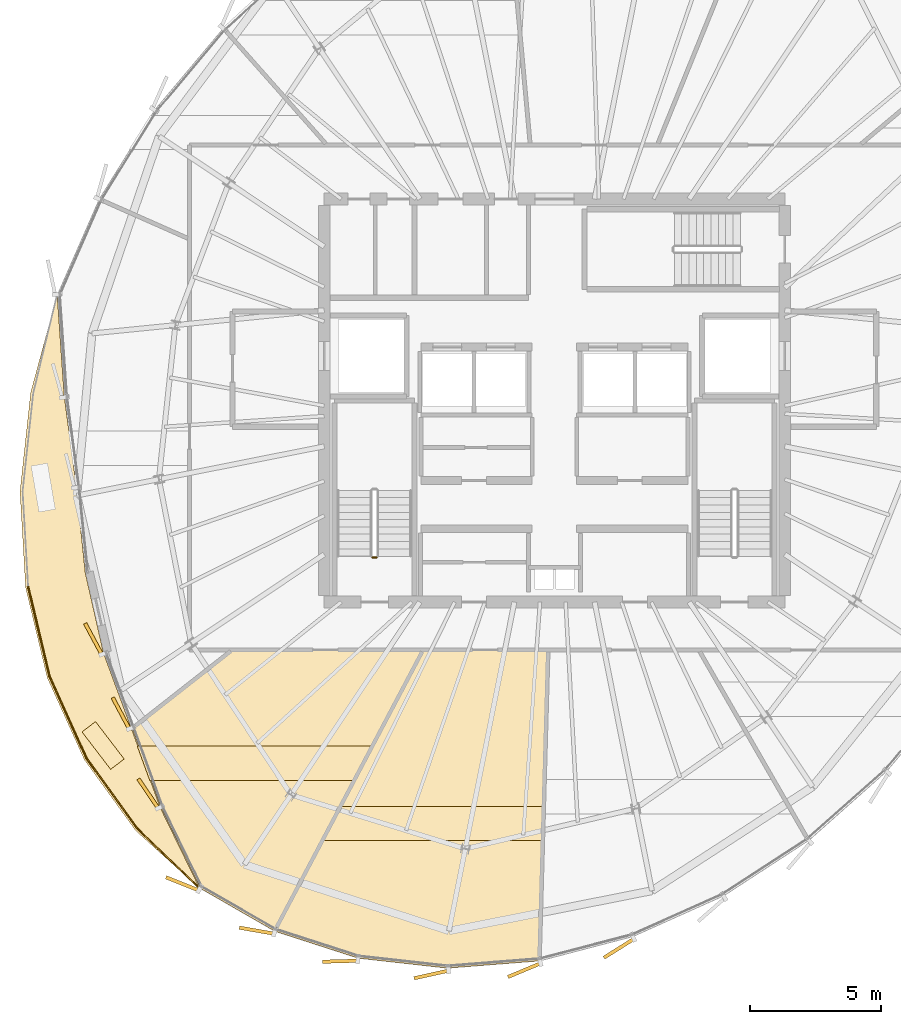
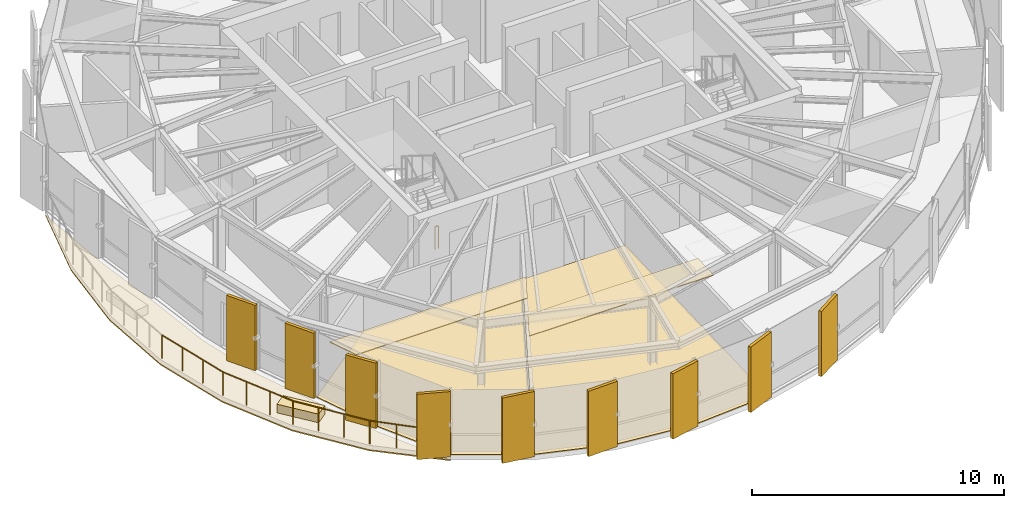
# One storey, part 29 of 32: 15 coverings, 5 railings.
"""IFC4 building model written with IfcOpenShell, lengths in metres."""

import ifcopenshell
import ifcopenshell.guid

model = None  # the IFC model being written
_history = None  # IfcOwnerHistory: only IFC2X3 demands one
_inside = {}  # id of a spatial element -> (the spatial element, [elements in it])
_under = {}  # id of a project, library or spatial element -> (it, [spatial elements below it])
_declared = {}  # id of a project -> (the project, [libraries it declares])
_typed = {}  # id of a type object -> (the type object, [elements of that type])
_made_of = {}  # id of a material, layer set ... -> (it, [elements and type objects made of it])


def new_model(schema):
    """Start an empty IFC model of exactly this schema.

    Asked for "IFC4X3", IfcOpenShell would pick the latest addendum, in which some entities
    have other attributes; the version numbers below select the first issue.
    IFC2X3 requires an IfcOwnerHistory on every rooted entity: one is made here for all.
    """
    global model, _history
    if schema == "IFC4X3":
        model = ifcopenshell.file(schema_version=(4, 3, 0, 0))
    else:
        model = ifcopenshell.file(schema=schema)
    _inside.clear()
    _under.clear()
    _declared.clear()
    _typed.clear()
    _made_of.clear()
    _history = None
    if model.schema == "IFC2X3":
        org = make("IfcOrganization", Name="unknown")
        user = make(
            "IfcPersonAndOrganization",
            ThePerson=make("IfcPerson", FamilyName="unknown"),
            TheOrganization=org,
        )
        app = make(
            "IfcApplication",
            ApplicationDeveloper=org,
            Version="unknown",
            ApplicationFullName="unknown",
            ApplicationIdentifier="unknown",
        )
        _history = make(
            "IfcOwnerHistory",
            OwningUser=user,
            OwningApplication=app,
            ChangeAction="ADDED",
            CreationDate=0,
        )
    return model


def make(cls, **values):
    """One entity of the class cls with the attributes given. An attribute that is None is left unset."""
    return model.create_entity(
        cls, **{name: value for name, value in values.items() if value is not None}
    )


def rooted(cls, **values):
    """An entity with a GlobalId (a new one), such as an element, a storey or a relation."""
    return make(cls, GlobalId=ifcopenshell.guid.new(), OwnerHistory=_history, **values)


def si_unit(unit_type, name, prefix=None):
    """IfcSIUnit, for example si_unit("LENGTHUNIT", "METRE", prefix="MILLI")."""
    return make("IfcSIUnit", UnitType=unit_type, Prefix=prefix, Name=name)


def assignment(units):
    """IfcUnitAssignment: the units of a project."""
    return None if units is None else make("IfcUnitAssignment", Units=units)


def point(xyz):
    """IfcCartesianPoint."""
    return None if xyz is None else make("IfcCartesianPoint", Coordinates=xyz)


def direction(xyz):
    """IfcDirection."""
    return None if xyz is None else make("IfcDirection", DirectionRatios=xyz)


def frame(location, z_axis=None, x_axis=None):
    """IfcAxis2Placement3D, a coordinate frame: its origin and axes. An axis left out is left unset."""
    return make(
        "IfcAxis2Placement3D",
        Location=point(location),
        Axis=direction(z_axis),
        RefDirection=direction(x_axis),
    )


def frame_2d(location, x_axis=None):
    """IfcAxis2Placement2D, a coordinate frame in the plane: its origin and x axis."""
    return make(
        "IfcAxis2Placement2D", Location=point(location), RefDirection=direction(x_axis)
    )


def origin():
    """The frame at (0, 0, 0) with its axes left unset."""
    return frame((0.0, 0.0, 0.0))


def origin_2d():
    """The frame at (0, 0) in the plane with its x axis left unset."""
    return frame_2d((0.0, 0.0))


def place(relative_to, where):
    """IfcLocalPlacement: puts the frame where relative to a parent placement (None: the world)."""
    return make(
        "IfcLocalPlacement", PlacementRelTo=relative_to, RelativePlacement=where
    )


def context(
    kind, dimensions, precision=None, world=None, true_north=None, identifier=None
):
    """IfcGeometricRepresentationContext, for example the 3D "Model" context."""
    return make(
        "IfcGeometricRepresentationContext",
        ContextIdentifier=identifier,
        ContextType=kind,
        CoordinateSpaceDimension=dimensions,
        Precision=precision,
        WorldCoordinateSystem=world,
        TrueNorth=true_north,
    )


def subcontext(parent, identifier, kind, view, scale=None):
    """IfcGeometricRepresentationSubContext, for example "Body" below "Model"."""
    return make(
        "IfcGeometricRepresentationSubContext",
        ContextIdentifier=identifier,
        ContextType=kind,
        ParentContext=parent,
        TargetScale=scale,
        TargetView=view,
    )


def project(units=None, contexts=None):
    """IfcProject with its units and contexts."""
    return rooted(
        "IfcProject",
        Name="project",
        RepresentationContexts=contexts,
        UnitsInContext=assignment(units),
    )


def spatial(cls, under=None, at=None, **own):
    """A site, building, storey or space (cls), placed at a placement, below another one or the project."""
    s = rooted(cls, ObjectPlacement=at, **own)
    if under is not None:
        _under.setdefault(under.id(), (under, []))[1].append(s)
    return s


def polyline(points):
    """IfcPolyline through the points."""
    return make("IfcPolyline", Points=[point(p) for p in points])


def profile(cls, at=None, kind="AREA", **sizes):
    """A parametric profile (cls). Its sizes go by their IFC names, for example OverallWidth=200.0."""
    return make(cls, ProfileType=kind, Position=at, **sizes)


def rectangle(**sizes):
    """IfcRectangleProfileDef."""
    return profile("IfcRectangleProfileDef", **sizes)


def circle(**sizes):
    """IfcCircleProfileDef."""
    return profile("IfcCircleProfileDef", **sizes)


def outline(outer, holes=None, kind="AREA"):
    """IfcArbitraryClosedProfileDef: a profile drawn as a closed curve; with holes, ...WithVoids."""
    if holes is None:
        return make("IfcArbitraryClosedProfileDef", ProfileType=kind, OuterCurve=outer)
    return make(
        "IfcArbitraryProfileDefWithVoids",
        ProfileType=kind,
        OuterCurve=outer,
        InnerCurves=holes,
    )


def extrude(swept, where, along, depth):
    """IfcExtrudedAreaSolid: the profile swept, set in the frame where, extruded along a direction by depth."""
    return make(
        "IfcExtrudedAreaSolid",
        SweptArea=swept,
        Position=where,
        ExtrudedDirection=direction(along),
        Depth=depth,
    )


def shape(context_of_items, identifier, shape_type, items):
    """IfcShapeRepresentation: the items that make up one representation, for example the "Body"."""
    return make(
        "IfcShapeRepresentation",
        ContextOfItems=context_of_items,
        RepresentationIdentifier=identifier,
        RepresentationType=shape_type,
        Items=items,
    )


def source(mapping_origin, context_of_items, identifier, shape_type, items):
    """IfcRepresentationMap: a shape defined once, which mapped items show again and again."""
    return make(
        "IfcRepresentationMap",
        MappingOrigin=mapping_origin,
        MappedRepresentation=shape(context_of_items, identifier, shape_type, items),
    )


def transform(
    local_origin,
    x_axis=None,
    y_axis=None,
    z_axis=None,
    scale=None,
    scale2=None,
    scale3=None,
    uniform=True,
):
    """IfcCartesianTransformationOperator3D, or its non-uniform kind. x_axis, y_axis, z_axis: its Axis1, 2, 3."""
    if uniform:
        return make(
            "IfcCartesianTransformationOperator3D",
            Axis1=direction(x_axis),
            Axis2=direction(y_axis),
            LocalOrigin=point(local_origin),
            Scale=scale,
            Axis3=direction(z_axis),
        )
    return make(
        "IfcCartesianTransformationOperator3DnonUniform",
        Axis1=direction(x_axis),
        Axis2=direction(y_axis),
        LocalOrigin=point(local_origin),
        Scale=scale,
        Axis3=direction(z_axis),
        Scale2=scale2,
        Scale3=scale3,
    )


def mapped(mapping_source, mapping_target):
    """IfcMappedItem: shows the shape of a source again, moved by a transform."""
    return make(
        "IfcMappedItem", MappingSource=mapping_source, MappingTarget=mapping_target
    )


def material(Name=None, Category=None):
    """IfcMaterial."""
    return make("IfcMaterial", Name=Name, Category=Category)


def layer(
    of_material, thickness, ventilated=None, Name=None, Category=None, Priority=None
):
    """IfcMaterialLayer: one layer of a wall or slab, of a material (None: an air gap)."""
    return make(
        "IfcMaterialLayer",
        Material=of_material,
        LayerThickness=thickness,
        IsVentilated=ventilated,
        Name=Name,
        Category=Category,
        Priority=Priority,
    )


def layer_set(layers, Name=None):
    """IfcMaterialLayerSet."""
    return make("IfcMaterialLayerSet", MaterialLayers=layers, LayerSetName=Name)


def made_of(thing, what):
    """Note that an element or type object is made of a material, layer set ...; save() writes the relation."""
    if what is not None:
        _made_of.setdefault(what.id(), (what, []))[1].append(thing)
    return thing


def type_object(cls, material=None, **own):
    """A type object (cls), such as IfcWallType, which elements share."""
    return made_of(rooted(cls, **own), material)


def element(
    cls,
    number,
    at=None,
    inside=None,
    cuts=None,
    type_object=None,
    material=None,
    context=None,
    identifier="Body",
    shape_type=None,
    held_by="IfcProductDefinitionShape",
    body=None,
    shapes=None,
    **own,
):
    """One element of the class cls, such as IfcWall. Its Tag is "e" and its number.

    at: its placement. inside: the storey or other place that contains it. cuts: it is an
    opening in that element (IfcRelVoidsElement). A single representation is given by context,
    identifier, shape_type and body (its items); several are given by shapes. held_by: the class
    of the entity that holds the representations. save() writes the other relations.
    """
    e = rooted(cls, Tag="e%d" % number, ObjectPlacement=at, **own)
    if body is not None:
        shapes = [shape(context, identifier, shape_type, body)]
    if shapes is not None:
        e.Representation = make(held_by, Representations=shapes)
    if inside is not None:
        _inside.setdefault(inside.id(), (inside, []))[1].append(e)
    if cuts is not None:
        rooted(
            "IfcRelVoidsElement", RelatingBuildingElement=cuts, RelatedOpeningElement=e
        )
    if type_object is not None:
        _typed.setdefault(type_object.id(), (type_object, []))[1].append(e)
    return made_of(e, material)


def aggregate(whole, parts):
    """IfcRelAggregates: a whole, such as a stair, and the parts it consists of."""
    return rooted("IfcRelAggregates", RelatingObject=whole, RelatedObjects=parts)


def save(model, path):
    """Write the relations noted so far, then the file.

    IfcRelAggregates (storeys below a building ...), IfcRelContainedInSpatialStructure (elements
    in a storey), IfcRelDefinesByType, IfcRelAssociatesMaterial and IfcRelDeclares: one each for
    every whole, place, type object, material and project.
    """
    for whole, parts in _under.values():
        aggregate(whole, parts)
    for where, things in _inside.values():
        rooted(
            "IfcRelContainedInSpatialStructure",
            RelatedElements=things,
            RelatingStructure=where,
        )
    for kind, things in _typed.values():
        rooted("IfcRelDefinesByType", RelatedObjects=things, RelatingType=kind)
    for what, things in _made_of.values():
        rooted("IfcRelAssociatesMaterial", RelatedObjects=things, RelatingMaterial=what)
    for by, libraries in _declared.values():
        rooted("IfcRelDeclares", RelatingContext=by, RelatedDefinitions=libraries)
    model.write(path)


model = new_model("IFC4")

# Units and contexts
model_context = context("Model", 3, precision=1e-05, world=origin(), true_north=direction((0.0, 1.0)))
body_context = subcontext(model_context, "Body", "Model", "MODEL_VIEW")
ifc_project = project(units=[si_unit("LENGTHUNIT", "METRE"), si_unit("AREAUNIT", "SQUARE_METRE"), si_unit("VOLUMEUNIT", "CUBIC_METRE"), si_unit("PLANEANGLEUNIT", "RADIAN"), si_unit("MASSUNIT", "GRAM", prefix="KILO"), si_unit("THERMODYNAMICTEMPERATUREUNIT", "KELVIN")], contexts=[model_context])

# Site, building, storey
site_placement = place(None, origin())
site = spatial("IfcSite", under=ifc_project, at=site_placement, CompositionType="ELEMENT")
building_placement = place(site_placement, origin())
building = spatial("IfcBuilding", under=site, at=building_placement, Name="Kethvar Cultural Tower", CompositionType="ELEMENT")
storey_placement = place(building_placement, frame((0.0, 0.0, 252.550048828125)))
storey = spatial("IfcBuildingStorey", under=building, at=storey_placement, Name="L66", CompositionType="ELEMENT", Elevation=252.550048828125)

# Coverings
ifc_material_1 = material(Name="Acoustic Mineral Fibre Ceiling")
ifc_layer_1 = layer(ifc_material_1, 0.0400390625, Name="Acoustic Mineral Fibre Ceiling")
ifc_layer_set_1 = layer_set([ifc_layer_1], Name="Acoustic Mineral Fibre Ceiling (40 mm)")
covering_type_1 = type_object("IfcCoveringType", Name="CV-ACOUSTIC-CEIL", PredefinedType="CEILING", material=ifc_layer_set_1)
covering_1_placement = place(storey_placement, frame((0.0, 0.0, 3.0)))
element("IfcCovering", 1, at=covering_1_placement, inside=storey, type_object=covering_type_1, Name="L66 Room 01 Acoustic Ceiling Panel", PredefinedType="CEILING", context=body_context, shape_type="SweptSolid", body=[
    extrude(outline(polyline([(30.8544921875, 14.599609375), (39.8701171875, 14.599609375), (39.18017578125, 13.28955078125), (31.331298828125, 13.28955078125), (30.8544921875, 14.599609375)])), origin(), (0.0, 0.0, 1.0), 0.0400390625),
])
covering_2_placement = place(storey_placement, frame((0.0, 0.0, 3.0)))
element("IfcCovering", 2, at=covering_2_placement, inside=storey, type_object=covering_type_1, Name="L66 Room 02 Acoustic Ceiling Panel", PredefinedType="CEILING", context=body_context, shape_type="SweptSolid", body=[
    extrude(outline(polyline([(38.60791015625, 12.28857421875), (46.420166015625, 12.28857421875), (46.38623046875, 10.978515625), (37.917724609375, 10.978515625), (38.60791015625, 12.28857421875)])), origin(), (0.0, 0.0, 1.0), 0.0400390625),
])
ifc_material_2 = material(Name="Architectural Oak Timber", Category="wood")
ifc_layer_2 = layer(ifc_material_2, 0.02490234375, Name="Architectural Oak Timber", Category="wood")
ifc_layer_set_2 = layer_set([ifc_layer_2], Name="Architectural Oak Timber (25 mm)")
covering_type_2 = type_object("IfcCoveringType", Name="CV-OAK-FLOOR", PredefinedType="FLOORING", material=ifc_layer_set_2)
covering_3_placement = place(storey_placement, origin())
element("IfcCovering", 3, at=covering_3_placement, inside=storey, type_object=covering_type_2, Name="L66 Room 01 Floor Finish", PredefinedType="FLOORING", context=body_context, shape_type="SweptSolid", body=[
    extrude(outline(polyline([(33.26318359375, 9.16162109375), (31.74658203125, 12.265380859375), (30.651611328125, 15.27392578125), (34.49462890625, 18.2490234375), (41.7470703125, 18.2490234375), (36.10107421875, 7.529052734375), (33.26318359375, 9.16162109375)])), origin(), (0.0, 0.0, 1.0), 0.02490234375),
])
covering_4_placement = place(storey_placement, origin())
element("IfcCovering", 4, at=covering_4_placement, inside=storey, type_object=covering_type_2, Name="L66 Room 02 Floor Finish", PredefinedType="FLOORING", context=body_context, shape_type="SweptSolid", body=[
    extrude(outline(polyline([(42.70947265625, 6.111572265625), (39.29931640625, 6.4921875), (36.137939453125, 7.51318359375), (41.792236328125, 18.2490234375), (46.53369140625, 18.2490234375), (46.22802734375, 6.388427734375), (42.70947265625, 6.111572265625)])), origin(), (0.0, 0.0, 1.0), 0.02490234375),
])
ifc_material_3 = material(Name="Insulated Waterproofing Membrane")
ifc_layer_3 = layer(ifc_material_3, 0.06005859375, Name="Insulated Waterproofing Membrane")
ifc_layer_set_3 = layer_set([ifc_layer_3], Name="Insulated Waterproofing Membrane (60 mm)")
covering_type_3 = type_object("IfcCoveringType", Name="CV-ROOF-MEMB", PredefinedType="ROOFING", material=ifc_layer_set_3)
covering_5_placement = place(storey_placement, frame((0.0, 0.0, -0.275146484375)))
element("IfcCovering", 5, at=covering_5_placement, inside=storey, type_object=covering_type_3, Name="L66 Terrace Waterproofing", PredefinedType="ROOFING", context=body_context, shape_type="SweptSolid", body=[
    extrude(outline(polyline([(27.7958984375, 31.860107421875), (26.781494140625, 28.0947265625), (26.375244140625, 24.32080078125), (26.589599609375, 20.65234375), (27.418212890625, 17.200927734375), (28.83544921875, 14.07177734375), (30.798583984375, 11.35986328125), (33.248046875, 9.147216796875), (31.728271484375, 12.257568359375), (30.627685546875, 15.28076171875), (29.56494140625, 18.156982421875), (28.869873046875, 21.220703125), (28.531982421875, 24.471435546875), (28.06689453125, 27.959716796875), (27.7958984375, 31.860107421875)])), origin(), (0.0, 0.0, 1.0), 0.06005859375),
])

# Railings
ifc_material_4 = material(Name="Steel S355J2", Category="steel")
railing_type_1 = type_object("IfcRailingType", Name="RL-EXT-GUARD-1150", PredefinedType="BALUSTRADE", material=ifc_material_4)
railing_1_placement = place(storey_placement, frame((26.683837890625, 20.685546875, 0.0)))
element("IfcRailing", 6, at=railing_1_placement, inside=storey, type_object=railing_type_1, Name="L66 Spiralling Terrace Balustrade 04", PredefinedType="BALUSTRADE", context=body_context, shape_type="SweptSolid", body=[
    extrude(circle(Radius=0.02392578125, at=origin_2d()), frame((0.0, 0.0, 1.1259765625), z_axis=(0.23263856912, -0.972563260748, 0.0), x_axis=(0.972563260748, 0.23263856912, 0.0)), (0.0, 0.0, 1.0), 3.533447265625),
    extrude(circle(Radius=0.02099609375, at=origin_2d()), origin(), (0.0, 0.0, 1.0), 1.101806640625),
    extrude(circle(Radius=0.02099609375, at=origin_2d()), frame((0.27392578125, -1.1455078125, 0.0)), (0.0, 0.0, 1.0), 1.101806640625),
    extrude(circle(Radius=0.02099609375, at=origin_2d()), frame((0.548095703125, -2.291015625, 0.0)), (0.0, 0.0, 1.0), 1.101806640625),
    extrude(circle(Radius=0.02099609375, at=origin_2d()), frame((0.822021484375, -3.4365234375, 0.0)), (0.0, 0.0, 1.0), 1.101806640625),
])
railing_2_placement = place(storey_placement, frame((27.505859375, 17.2490234375, 0.0)))
element("IfcRailing", 7, at=railing_2_placement, inside=storey, type_object=railing_type_1, Name="L66 Spiralling Terrace Balustrade 05", PredefinedType="BALUSTRADE", context=body_context, shape_type="SweptSolid", body=[
    extrude(circle(Radius=0.02392578125, at=origin_2d()), frame((0.0, 0.0, 1.1259765625), z_axis=(0.411951995727, -0.911205549378, 0.0), x_axis=(0.911205549378, 0.411951995727, 0.0)), (0.0, 0.0, 1.0), 3.420166015625),
    extrude(circle(Radius=0.02099609375, at=origin_2d()), origin(), (0.0, 0.0, 1.0), 1.101806640625),
    extrude(circle(Radius=0.02099609375, at=origin_2d()), frame((0.4697265625, -1.038818359375, 0.0)), (0.0, 0.0, 1.0), 1.101806640625),
    extrude(circle(Radius=0.02099609375, at=origin_2d()), frame((0.939208984375, -2.07763671875, 0.0)), (0.0, 0.0, 1.0), 1.101806640625),
    extrude(circle(Radius=0.02099609375, at=origin_2d()), frame((1.408935546875, -3.116455078125, 0.0)), (0.0, 0.0, 1.0), 1.101806640625),
])
railing_3_placement = place(storey_placement, frame((28.914794921875, 14.132568359375, 0.0)))
element("IfcRailing", 8, at=railing_3_placement, inside=storey, type_object=railing_type_1, Name="L66 Spiralling Terrace Balustrade 06", PredefinedType="BALUSTRADE", context=body_context, shape_type="SweptSolid", body=[
    extrude(circle(Radius=0.02392578125, at=origin_2d()), frame((0.0, 0.0, 1.1259765625), z_axis=(0.586035904566, -0.810285084744, 0.0), x_axis=(0.810285084744, 0.586035904566, 0.0)), (0.0, 0.0, 1.0), 3.33349609375),
    extrude(circle(Radius=0.02099609375, at=origin_2d()), origin(), (0.0, 0.0, 1.0), 1.101806640625),
    extrude(circle(Radius=0.02099609375, at=origin_2d()), frame((0.651123046875, -0.900390625, 0.0)), (0.0, 0.0, 1.0), 1.101806640625),
    extrude(circle(Radius=0.02099609375, at=origin_2d()), frame((1.302490234375, -1.80078125, 0.0)), (0.0, 0.0, 1.0), 1.101806640625),
    extrude(circle(Radius=0.02099609375, at=origin_2d()), frame((1.95361328125, -2.701171875, 0.0)), (0.0, 0.0, 1.0), 1.101806640625),
])
railing_4_placement = place(storey_placement, frame((30.868408203125, 11.431396484375, 0.0)))
element("IfcRailing", 9, at=railing_4_placement, inside=storey, type_object=railing_type_1, Name="L66 Spiralling Terrace Balustrade 07", PredefinedType="BALUSTRADE", context=body_context, shape_type="SweptSolid", body=[
    extrude(circle(Radius=0.02392578125, at=origin_2d()), frame((0.0, 0.0, 1.1259765625), z_axis=(0.721428733889, -0.692488687213, 0.0), x_axis=(0.692488687213, 0.721428733889, 0.0)), (0.0, 0.0, 1.0), 3.298583984375),
    extrude(circle(Radius=0.02099609375, at=origin_2d()), origin(), (0.0, 0.0, 1.0), 1.101806640625),
    extrude(circle(Radius=0.02099609375, at=origin_2d()), frame((0.793212890625, -0.761474609375, 0.0)), (0.0, 0.0, 1.0), 1.101806640625),
    extrude(circle(Radius=0.02099609375, at=origin_2d()), frame((1.58642578125, -1.522705078125, 0.0)), (0.0, 0.0, 1.0), 1.101806640625),
    extrude(circle(Radius=0.02099609375, at=origin_2d()), frame((2.379638671875, -2.2841796875, 0.0)), (0.0, 0.0, 1.0), 1.101806640625),
])
railing_type_2 = type_object("IfcRailingType", Name="RL-STAIR-GUARD", PredefinedType="BALUSTRADE", material=ifc_material_4)
railing_5_placement = place(storey_placement, frame((40.0, 21.800048828125, 0.0)))
element("IfcRailing", 10, at=railing_5_placement, inside=storey, type_object=railing_type_2, Name="L66 ST-01 stair guard 4", PredefinedType="BALUSTRADE", context=body_context, shape_type="SweptSolid", body=[
    extrude(circle(Radius=0.02392578125, at=origin_2d()), frame((0.0, 0.0, 1.09619140625), z_axis=(-1.0, 0.0, 0.0), x_axis=(0.0, -1.0, 0.0)), (0.0, 0.0, 1.0), 0.159912109375),
    extrude(circle(Radius=0.02099609375, at=origin_2d()), origin(), (0.0, 0.0, 1.0), 1.072021484375),
    extrude(circle(Radius=0.02099609375, at=origin_2d()), frame((-0.159912109375, 0.0, 0.0)), (0.0, 0.0, 1.0), 1.072021484375),
])

# Coverings
ifc_material_5 = material(Name="Extruded Architectural Terracotta", Category="masonry")
ifc_layer_4 = layer(ifc_material_5, 0.419921875, Name="Extruded Architectural Terracotta", Category="masonry")
ifc_layer_set_4 = layer_set([ifc_layer_4], Name="Extruded Architectural Terracotta (420 mm)")
covering_type_4 = type_object("IfcCoveringType", Name="Terracotta Terrace Planter PLANTER-01", PredefinedType="USERDEFINED", material=ifc_layer_set_4)
shared_shape_1 = source(origin(), body_context, "Body", "SweptSolid", [
    extrude(rectangle(XDim=1.800048828125, YDim=0.64990234375, at=origin_2d()), origin(), (0.0, 0.0, 1.0), 0.419921875),
])
covering_6_placement = place(storey_placement, frame((29.550537109375, 14.618408203125, 0.0), z_axis=(0.0, 0.0, 1.0), x_axis=(0.607237178966, -0.794520615517, 0.0)))
element("IfcCovering", 11, at=covering_6_placement, inside=storey, type_object=covering_type_4, Name="L66 Sky Terrace Planter Box B", ObjectType="PLANTER", PredefinedType="USERDEFINED", context=body_context, shape_type="MappedRepresentation", body=[
    mapped(shared_shape_1, transform((0.0, 0.0, 0.0), scale=1.0)),
])
ifc_layer_5 = layer(ifc_material_5, 0.135009765625, Name="Extruded Architectural Terracotta", Category="masonry")
ifc_layer_set_5 = layer_set([ifc_layer_5], Name="Extruded Architectural Terracotta (135 mm)")
covering_type_5 = type_object("IfcCoveringType", Name="Terracotta Facade Fin FIN-03", PredefinedType="CLADDING", material=ifc_layer_set_5)
shared_shape_2 = source(origin(), body_context, "Body", "SweptSolid", [
    extrude(rectangle(XDim=1.35009765625, YDim=0.135009765625, at=origin_2d()), origin(), (0.0, 0.0, 1.0), 3.169921875),
])
for number, where, z_axis, x_axis, name in (
    (12, (29.1826171875, 18.68994140625, 0.02001953125), (0.0, 0.0, 1.0), (-0.473780835594, 0.880642787868, 0.0), "L66 Vertical Terracotta Fin 4.1"),
    (13, (30.23583984375, 15.849365234375, 0.02001953125), (0.0, 0.0, 1.0), (-0.469471562786, 0.882947592859, 0.0), "L66 Vertical Terracotta Fin 4.2"),
    (14, (31.278564453125, 12.78173828125, 0.02001953125), (0.0, 0.0, 1.0), (-0.559771544562, 0.828646980263, 0.0), "L66 Vertical Terracotta Fin 4.3"),
    (15, (32.581787109375, 9.32958984375, 0.02001953125), (0.0, 0.0, 1.0), (-0.927771141119, 0.37314971487, 0.0), "L66 Vertical Terracotta Fin 4.4"),
    (16, (35.41943359375, 7.54150390625, 0.02001953125), (0.0, 0.0, 1.0), (-0.985109326155, 0.171929100279, 0.0), "L66 Vertical Terracotta Fin 4.5"),
    (17, (38.611572265625, 6.373779296875, 0.02001953125), (0.0, 0.0, 1.0), (-0.999595358281, -0.028445029505, 0.0), "L66 Vertical Terracotta Fin 4.6"),
    (18, (42.092041015625, 5.868408203125, 0.02001953125), (0.0, 0.0, 1.0), (-0.97629600712, -0.216439613938, 0.0), "L66 Vertical Terracotta Fin 5.1"),
    (19, (45.64501953125, 6.032470703125, 0.02001953125), (0.0, 0.0, 1.0), (-0.922807277859, -0.385261895248, 0.0), "L66 Vertical Terracotta Fin 5.2"),
    (20, (49.263916015625, 6.867919921875, 0.02001953125), (0.0, 0.0, 1.0), (-0.84675072878, -0.531989852639, 0.0), "L66 Vertical Terracotta Fin 5.3"),
):
    element("IfcCovering", number, at=place(storey_placement, frame(where, z_axis=z_axis, x_axis=x_axis)), inside=storey, type_object=covering_type_5, Name=name, PredefinedType="CLADDING", context=body_context, shape_type="MappedRepresentation", body=[
        mapped(shared_shape_2, transform((0.0, 0.0, 0.0), scale=1.0)),
    ])

save(model, "model.ifc")
